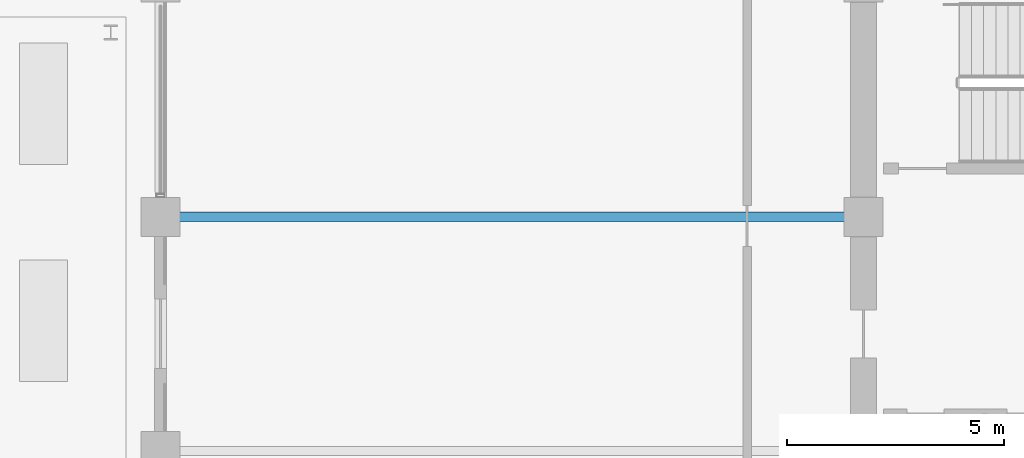
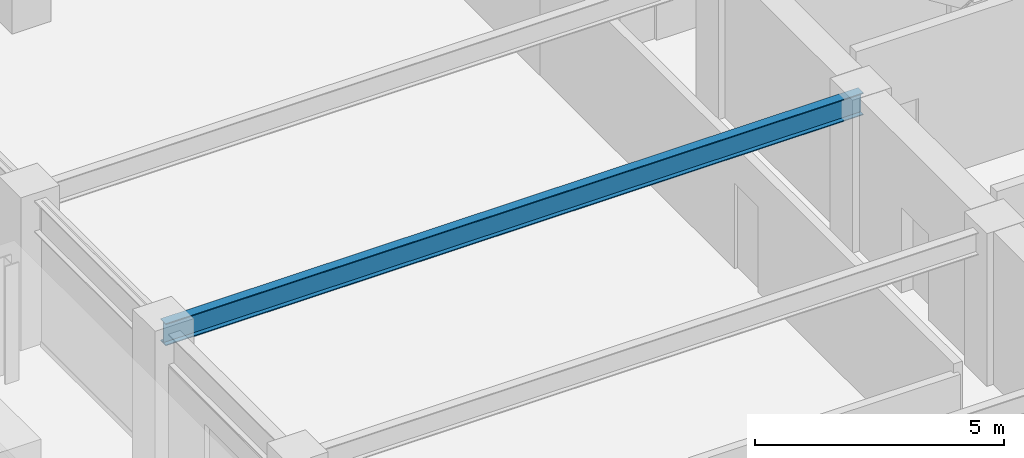
# One storey, part 10 of 36: 1 beam.
"""IFC4 building model written with IfcOpenShell, lengths in metres."""

from ifc_helpers import new_model, si_unit, direction, frame, origin, origin_2d, place, context, subcontext, project, spatial, i_section, extrude, material, material_profile, profile_set, type_object, element, save


model = new_model("IFC4")

# Units and contexts
model_context = context("Model", 3, precision=1e-05, world=origin(), true_north=direction((0.0, 1.0)))
body_context = subcontext(model_context, "Body", "Model", "MODEL_VIEW")
ifc_project = project(units=[si_unit("LENGTHUNIT", "METRE"), si_unit("AREAUNIT", "SQUARE_METRE"), si_unit("VOLUMEUNIT", "CUBIC_METRE"), si_unit("PLANEANGLEUNIT", "RADIAN"), si_unit("MASSUNIT", "GRAM", prefix="KILO")], contexts=[model_context])

# Site, building, storey
site_placement = place(None, origin())
site = spatial("IfcSite", under=ifc_project, at=site_placement, CompositionType="ELEMENT")
building_placement = place(site_placement, origin())
building = spatial("IfcBuilding", under=site, at=building_placement, Name="Surkhivell Harbour Commons", CompositionType="ELEMENT")
storey_placement = place(building_placement, frame((0.0, 0.0, 171.0)))
storey = spatial("IfcBuildingStorey", under=building, at=storey_placement, Name="L44", CompositionType="ELEMENT", Elevation=171.0)

# Beam
ifc_material = material(Name="Steel S355", Category="steel")
ifc_material_profile = material_profile(ifc_material, i_section(OverallWidth=0.2119140625, OverallDepth=0.5439453125, WebThickness=0.0126953125, FlangeThickness=0.021240234375, at=origin_2d()), Name="UB533x210x122")
ifc_profile_set = profile_set([ifc_material_profile], Name="Steel S355")
beam_type = type_object("IfcBeamType", Name="BM-GRD-533A", PredefinedType="BEAM", material=ifc_profile_set)
beam_placement = place(storey_placement, frame((-27.0, 5.39990234375, 3.298095703125), z_axis=(1.0, 0.0, 0.0), x_axis=(0.0, 1.0, 0.0)))
element("IfcBeam", 1, at=beam_placement, inside=storey, type_object=beam_type, Name="L44 Floor Girder (-27.0,5.4)", PredefinedType="BEAM", context=body_context, shape_type="SweptSolid", body=[
    extrude(i_section(OverallWidth=0.2119140625, OverallDepth=0.5439453125, WebThickness=0.0126953125, FlangeThickness=0.021240234375, at=origin_2d()), origin(), (0.0, 0.0, 1.0), 16.199951171875),
])

save(model, "model.ifc")
